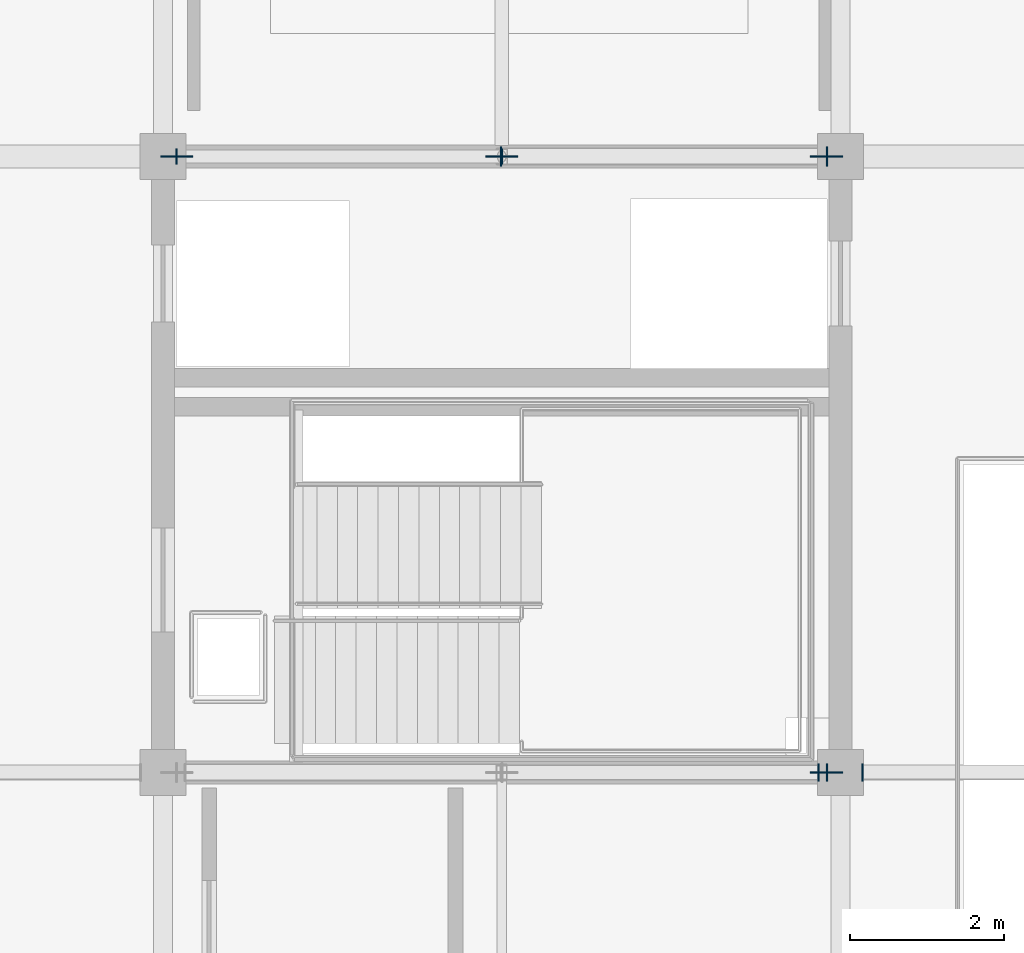
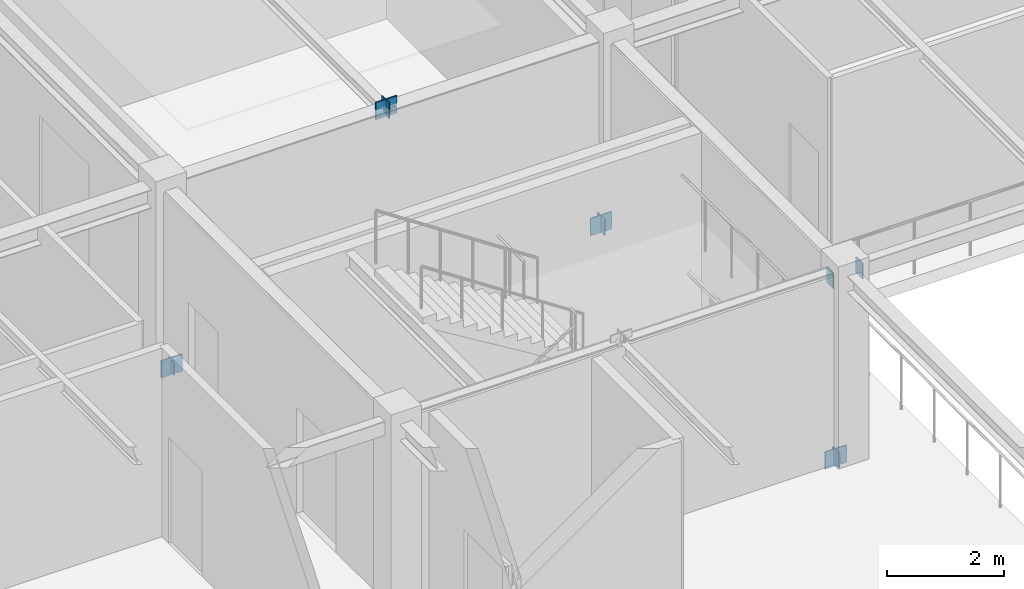
# One storey, part 34 of 45: 11 plates.
"""IFC4 building model written with IfcOpenShell, lengths in metres."""

from ifc_helpers import new_model, si_unit, direction, frame, origin, origin_2d, place, context, subcontext, project, spatial, rectangle, extrude, material, layer, layer_set, type_object, element, save


model = new_model("IFC4")

# Units and contexts
model_context = context("Model", 3, precision=1e-05, world=origin(), true_north=direction((0.0, 1.0)))
body_context = subcontext(model_context, "Body", "Model", "MODEL_VIEW")
ifc_project = project(units=[si_unit("LENGTHUNIT", "METRE"), si_unit("AREAUNIT", "SQUARE_METRE"), si_unit("VOLUMEUNIT", "CUBIC_METRE"), si_unit("PLANEANGLEUNIT", "RADIAN"), si_unit("MASSUNIT", "GRAM", prefix="KILO")], contexts=[model_context])

# Site, building, storey
site_placement = place(None, origin())
site = spatial("IfcSite", under=ifc_project, at=site_placement, CompositionType="ELEMENT")
building_placement = place(site_placement, origin())
building = spatial("IfcBuilding", under=site, at=building_placement, Name="Zhaolan Boulevard Law Courts", CompositionType="ELEMENT")
storey_placement = place(building_placement, frame((0.0, 0.0, 24.60009765625)))
storey = spatial("IfcBuildingStorey", under=building, at=storey_placement, Name="L05", CompositionType="ELEMENT", Elevation=24.60009765625)

# Plates
ifc_material_1 = material(Name="Structural steel Q355B", Category="steel")
ifc_layer_1 = layer(ifc_material_1, 0.02392578125)
ifc_layer_set_1 = layer_set([ifc_layer_1])
plate_type_1 = type_object("IfcPlateType", Name="BRACE GUSSET PLATE 24", PredefinedType="SHEET", material=ifc_layer_set_1)
for number, where, z_axis, x_axis, name in (
    (1, (17.780029296875, 70.0, -0.150390625), (0.0, 0.0, 1.0), (1.0, 0.0, 0.0), "Brace Gusset Connection Plate GP-W2-L05-NA1"),
    (2, (26.219970703125, 70.0, -0.150390625), (0.0, 0.0, 1.0), (1.0, 0.0, 0.0), "Brace Gusset Connection Plate GP-W2-L05-NA2"),
    (3, (22.0, 70.0, 3.73974609375), (0.0, 0.0, 1.0), (1.0, 0.0, 0.0), "Brace Gusset Connection Plate GP-W2-L05-NAPX"),
    (4, (26.219970703125, 62.0, -0.150390625), (0.0, 0.0, 1.0), (1.0, 0.0, 0.0), "Brace Gusset Connection Plate GP-W2-L05-SA2"),
):
    element("IfcPlate", number, at=place(storey_placement, frame(where, z_axis=z_axis, x_axis=x_axis)), inside=storey, type_object=plate_type_1, Name=name, PredefinedType="SHEET", context=body_context, shape_type="SweptSolid", body=[
        extrude(rectangle(XDim=0.419921875, YDim=0.02392578125, at=origin_2d()), origin(), (0.0, 0.0, 1.0), 0.360107421875),
    ])
ifc_material_2 = material(Name="Structural steel Q355B", Category="steel")
ifc_layer_2 = layer(ifc_material_2, 0.02001953125)
ifc_layer_set_2 = layer_set([ifc_layer_2])
plate_type_2 = type_object("IfcPlateType", Name="END CAP PLATE 20", PredefinedType="SHEET", material=ifc_layer_set_2)
for number, where, z_axis, x_axis, name in (
    (5, (26.112060546875, 62.0, 3.6328125), (0.0, 0.0, 1.0), (1.0, 0.0, 0.0), "Hollow Section End-Cap Plate ECP-1004"),
    (6, (26.68798828125, 62.0, 3.6328125), (0.0, 0.0, 1.0), (1.0, 0.0, 0.0), "Hollow Section End-Cap Plate ECP-1005"),
):
    element("IfcPlate", number, at=place(storey_placement, frame(where, z_axis=z_axis, x_axis=x_axis)), inside=storey, type_object=plate_type_2, Name=name, PredefinedType="SHEET", context=body_context, shape_type="SweptSolid", body=[
        extrude(rectangle(XDim=0.02001953125, YDim=0.22998046875, at=origin_2d()), origin(), (0.0, 0.0, 1.0), 0.330078125),
    ])
for number, where, z_axis, x_axis, name in (
    (7, (17.774169921875, 70.0, -0.110107421875), (0.0, 0.0, 1.0), (1.0, 0.0, 0.0), "Hollow Section End-Cap Plate ECP-1183"),
    (8, (22.005859375, 70.0, 3.790771484375), (0.0, 0.0, 1.0), (1.0, 0.0, 0.0), "Hollow Section End-Cap Plate ECP-1184"),
):
    element("IfcPlate", number, at=place(storey_placement, frame(where, z_axis=z_axis, x_axis=x_axis)), inside=storey, type_object=plate_type_2, Name=name, PredefinedType="SHEET", context=body_context, shape_type="SweptSolid", body=[
        extrude(rectangle(XDim=0.02001953125, YDim=0.197998046875, at=origin_2d()), origin(), (0.0, 0.0, 1.0), 0.26904296875),
    ])
for number, where, z_axis, x_axis, name in (
    (9, (26.225830078125, 70.0, -0.1455078125), (0.0, 0.0, 1.0), (-1.0, 0.0, 0.0), "Hollow Section End-Cap Plate ECP-1185"),
    (10, (21.994140625, 70.0, 3.75537109375), (0.0, 0.0, 1.0), (-1.0, 0.0, 0.0), "Hollow Section End-Cap Plate ECP-1186"),
):
    element("IfcPlate", number, at=place(storey_placement, frame(where, z_axis=z_axis, x_axis=x_axis)), inside=storey, type_object=plate_type_2, Name=name, PredefinedType="SHEET", context=body_context, shape_type="SweptSolid", body=[
        extrude(rectangle(XDim=0.02001953125, YDim=0.25, at=origin_2d()), origin(), (0.0, 0.0, 1.0), 0.340087890625),
    ])
plate_placement = place(storey_placement, frame((26.225830078125, 62.0, -0.132080078125), z_axis=(0.0, 0.0, 1.0), x_axis=(-1.0, 0.0, 0.0)))
element("IfcPlate", 11, at=plate_placement, inside=storey, type_object=plate_type_2, Name="Hollow Section End-Cap Plate ECP-1189", PredefinedType="SHEET", context=body_context, shape_type="SweptSolid", body=[
    extrude(rectangle(XDim=0.02001953125, YDim=0.22998046875, at=origin_2d()), origin(), (0.0, 0.0, 1.0), 0.31298828125),
])

save(model, "model.ifc")
